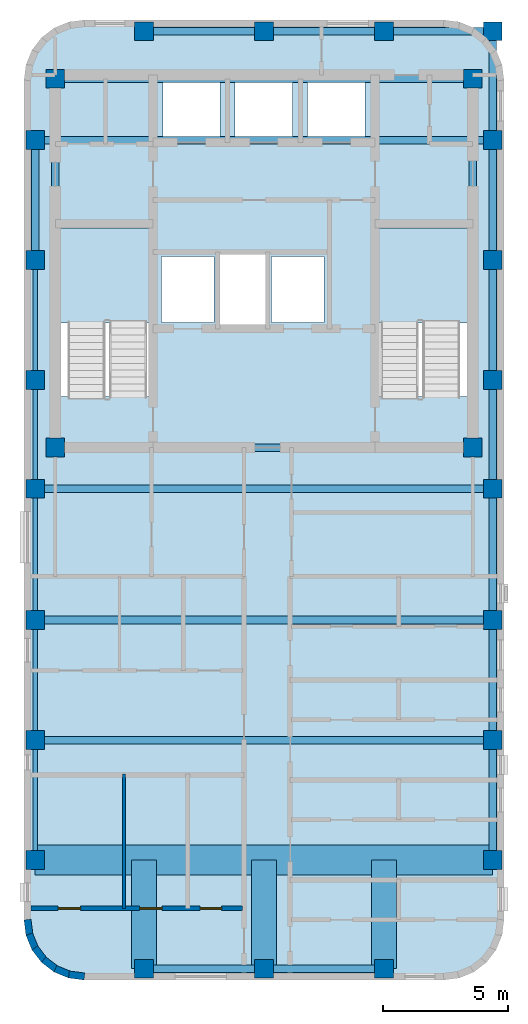
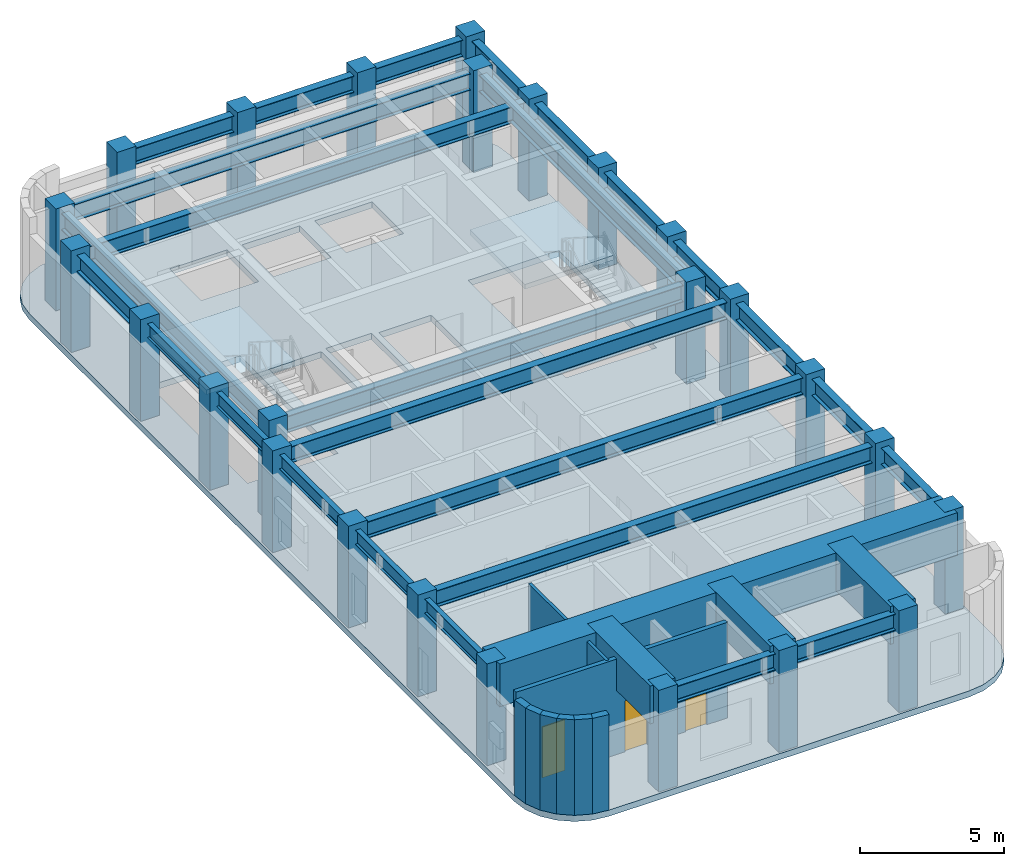
# One storey, part 1 of 6: 30 beams, 25 columns, 8 walls, 3 doors, 3 slabs, 3 openings, 2 elements without a shape of their own.
"""IFC4 building model written with IfcOpenShell, lengths in metres."""

from ifc_helpers import new_model, si_unit, direction, frame, frame_2d, origin, origin_2d, place, context, subcontext, project, spatial, polyline, rectangle, i_section, outline, extrude, material, layer, layer_set, material_profile, profile_set, type_object, element, fill, aggregate, save


model = new_model("IFC4")

# Units and contexts
model_context = context("Model", 3, precision=1e-05, world=origin(), true_north=direction((0.0, 1.0)))
body_context = subcontext(model_context, "Body", "Model", "MODEL_VIEW")
ifc_project = project(units=[si_unit("LENGTHUNIT", "METRE"), si_unit("AREAUNIT", "SQUARE_METRE"), si_unit("VOLUMEUNIT", "CUBIC_METRE"), si_unit("PLANEANGLEUNIT", "RADIAN"), si_unit("MASSUNIT", "GRAM", prefix="KILO")], contexts=[model_context])

# Site, building, storey
site_placement = place(None, origin())
site = spatial("IfcSite", under=ifc_project, at=site_placement, CompositionType="ELEMENT")
building_placement = place(site_placement, origin())
building = spatial("IfcBuilding", under=site, at=building_placement, Name="Orvandelia Arch Residences", CompositionType="ELEMENT")
storey_placement = place(building_placement, frame((0.0, 0.0, 261.300048828125)))
storey = spatial("IfcBuildingStorey", under=building, at=storey_placement, Name="L68", CompositionType="ELEMENT", Elevation=261.300048828125)

# Columns
ifc_material_1 = material(Name="Concrete C50/60", Category="concrete")
ifc_material_profile_1 = material_profile(ifc_material_1, rectangle(XDim=0.75, YDim=0.75, at=origin_2d()), Name="Concrete C50/60", Category="concrete")
ifc_profile_set_1 = profile_set([ifc_material_profile_1], Name="Concrete C50/60")
column_type = type_object("IfcColumnType", Name="COL-TWR-750", PredefinedType="COLUMN", material=ifc_profile_set_1)
for number, where, z_axis, x_axis, name in (
    (1, (5.25, 14.39990234375, 0.0), (0.0, 0.0, 1.0), (1.0, 0.0, 0.0), "Structural Column L68-W-W-144"),
    (2, (5.25, 19.199951171875, 0.0), (0.0, 0.0, 1.0), (1.0, 0.0, 0.0), "Structural Column L68-W-W-192"),
    (3, (5.25, 24.0, 0.0), (0.0, 0.0, 1.0), (1.0, 0.0, 0.0), "Structural Column L68-W-W-240"),
    (4, (5.25, 29.25, 0.0), (0.0, 0.0, 1.0), (1.0, 0.0, 0.0), "Structural Column L68-W-W-292"),
    (5, (5.25, 33.60009765625, 0.0), (0.0, 0.0, 1.0), (1.0, 0.0, 0.0), "Structural Column L68-W-W-336"),
    (6, (5.25, 38.39990234375, 0.0), (0.0, 0.0, 1.0), (1.0, 0.0, 0.0), "Structural Column L68-W-W-384"),
    (7, (5.25, 43.199951171875, 0.0), (0.0, 0.0, 1.0), (1.0, 0.0, 0.0), "Structural Column L68-W-W-432"),
    (8, (6.050048828125, 30.89990234375, 0.0), (0.0, 0.0, 1.0), (1.0, 0.0, 0.0), "Structural Column L68-CR-SW"),
    (9, (6.050048828125, 45.64990234375, 0.0), (0.0, 0.0, 1.0), (1.0, 0.0, 0.0), "Structural Column L68-CR-NW"),
    (10, (9.60009765625, 10.050048828125, 0.0), (0.0, 0.0, 1.0), (1.0, 0.0, 0.0), "Structural Column L68-W-S-96"),
    (11, (9.60009765625, 47.550048828125, 0.0), (0.0, 0.0, 1.0), (1.0, 0.0, 0.0), "Structural Column L68-W-N-96"),
    (12, (14.39990234375, 10.050048828125, 0.0), (0.0, 0.0, 1.0), (1.0, 0.0, 0.0), "Structural Column L68-W-S-144"),
    (13, (14.39990234375, 47.550048828125, 0.0), (0.0, 0.0, 1.0), (1.0, 0.0, 0.0), "Structural Column L68-W-N-144"),
    (14, (19.199951171875, 10.050048828125, 0.0), (0.0, 0.0, 1.0), (1.0, 0.0, 0.0), "Structural Column L68-W-S-192"),
    (15, (19.199951171875, 47.550048828125, 0.0), (0.0, 0.0, 1.0), (1.0, 0.0, 0.0), "Structural Column L68-W-N-192"),
    (16, (22.75, 30.89990234375, 0.0), (0.0, 0.0, 1.0), (1.0, 0.0, 0.0), "Structural Column L68-CR-SE"),
    (17, (22.75, 45.64990234375, 0.0), (0.0, 0.0, 1.0), (1.0, 0.0, 0.0), "Structural Column L68-CR-NE"),
    (18, (23.550048828125, 14.39990234375, 0.0), (0.0, 0.0, 1.0), (1.0, 0.0, 0.0), "Structural Column L68-W-E-144"),
    (19, (23.550048828125, 19.199951171875, 0.0), (0.0, 0.0, 1.0), (1.0, 0.0, 0.0), "Structural Column L68-W-E-192"),
    (20, (23.550048828125, 24.0, 0.0), (0.0, 0.0, 1.0), (1.0, 0.0, 0.0), "Structural Column L68-W-E-240"),
    (21, (23.550048828125, 29.25, 0.0), (0.0, 0.0, 1.0), (1.0, 0.0, 0.0), "Structural Column L68-W-E-292"),
    (22, (23.550048828125, 33.60009765625, 0.0), (0.0, 0.0, 1.0), (1.0, 0.0, 0.0), "Structural Column L68-W-E-336"),
    (23, (23.550048828125, 38.39990234375, 0.0), (0.0, 0.0, 1.0), (1.0, 0.0, 0.0), "Structural Column L68-W-E-384"),
    (24, (23.550048828125, 43.199951171875, 0.0), (0.0, 0.0, 1.0), (1.0, 0.0, 0.0), "Structural Column L68-W-E-432"),
    (25, (23.550048828125, 47.550048828125, 0.0), (0.0, 0.0, 1.0), (1.0, 0.0, 0.0), "Structural Column L68-W-N-235"),
):
    element("IfcColumn", number, at=place(storey_placement, frame(where, z_axis=z_axis, x_axis=x_axis)), inside=storey, type_object=column_type, Name=name, PredefinedType="COLUMN", context=body_context, shape_type="SweptSolid", body=[
        extrude(rectangle(XDim=0.75, YDim=0.75, at=origin_2d()), origin(), (0.0, 0.0, 1.0), 4.300048828125),
    ])

# Beams
ifc_material_2 = material(Name="Structural Steel SM355 (355 MPa)", Category="steel")
ifc_material_profile_2 = material_profile(ifc_material_2, i_section(OverallWidth=0.300048828125, OverallDepth=0.699951171875, WebThickness=0.012939453125, FlangeThickness=0.02392578125, FilletRadius=0.02392578125, at=origin_2d()), Name="Structural Steel SM355 (355 MPa)", Category="steel")
ifc_profile_set_2 = profile_set([ifc_material_profile_2], Name="Structural Steel SM355 (355 MPa)")
beam_type_1 = type_object("IfcBeamType", Name="BM-GRD-H700", PredefinedType="BEAM", material=ifc_profile_set_2)
beam_1_placement = place(storey_placement, frame((5.25, 38.39990234375, 3.68994140625), z_axis=(0.0, 1.0, 0.0), x_axis=(-1.0, 0.0, 0.0)))
element("IfcBeam", 26, at=beam_1_placement, inside=storey, type_object=beam_type_1, Name="Structural Frame Beam L68-NS-006", PredefinedType="BEAM", context=body_context, shape_type="SweptSolid", body=[
    extrude(i_section(OverallWidth=0.300048828125, OverallDepth=0.699951171875, WebThickness=0.012939453125, FlangeThickness=0.02392578125, FilletRadius=0.02392578125, at=origin_2d()), origin(), (0.0, 0.0, 1.0), 4.800048828125),
])
for number, where, z_axis, x_axis, name in (
    (27, (6.050048828125, 30.89990234375, 3.68994140625), (0.0, 1.0, 0.0), (-1.0, 0.0, 0.0), "Structural Frame Beam L68-NS-007"),
    (28, (22.75, 30.89990234375, 3.68994140625), (0.0, 1.0, 0.0), (-1.0, 0.0, 0.0), "Structural Frame Beam L68-NS-008"),
):
    element("IfcBeam", number, at=place(storey_placement, frame(where, z_axis=z_axis, x_axis=x_axis)), inside=storey, type_object=beam_type_1, Name=name, PredefinedType="BEAM", context=body_context, shape_type="SweptSolid", body=[
        extrude(i_section(OverallWidth=0.300048828125, OverallDepth=0.699951171875, WebThickness=0.012939453125, FlangeThickness=0.02392578125, FilletRadius=0.02392578125, at=origin_2d()), origin(), (0.0, 0.0, 1.0), 14.75),
    ])
for number, where, z_axis, x_axis, name in (
    (29, (23.550048828125, 14.39990234375, 3.68994140625), (0.0, 1.0, 0.0), (-1.0, 0.0, 0.0), "Structural Frame Beam L68-NS-009"),
    (30, (23.550048828125, 19.199951171875, 3.68994140625), (0.0, 1.0, 0.0), (-1.0, 0.0, 0.0), "Structural Frame Beam L68-NS-010"),
):
    element("IfcBeam", number, at=place(storey_placement, frame(where, z_axis=z_axis, x_axis=x_axis)), inside=storey, type_object=beam_type_1, Name=name, PredefinedType="BEAM", context=body_context, shape_type="SweptSolid", body=[
        extrude(i_section(OverallWidth=0.300048828125, OverallDepth=0.699951171875, WebThickness=0.012939453125, FlangeThickness=0.02392578125, FilletRadius=0.02392578125, at=origin_2d()), origin(), (0.0, 0.0, 1.0), 4.800048828125),
    ])
beam_2_placement = place(storey_placement, frame((23.550048828125, 24.0, 3.68994140625), z_axis=(0.0, 1.0, 0.0), x_axis=(-1.0, 0.0, 0.0)))
element("IfcBeam", 31, at=beam_2_placement, inside=storey, type_object=beam_type_1, Name="Structural Frame Beam L68-NS-011", PredefinedType="BEAM", context=body_context, shape_type="SweptSolid", body=[
    extrude(i_section(OverallWidth=0.300048828125, OverallDepth=0.699951171875, WebThickness=0.012939453125, FlangeThickness=0.02392578125, FilletRadius=0.02392578125, at=origin_2d()), origin(), (0.0, 0.0, 1.0), 5.25),
])
beam_3_placement = place(storey_placement, frame((23.550048828125, 29.25, 3.68994140625), z_axis=(0.0, 1.0, 0.0), x_axis=(-1.0, 0.0, 0.0)))
element("IfcBeam", 32, at=beam_3_placement, inside=storey, type_object=beam_type_1, Name="Structural Frame Beam L68-NS-012", PredefinedType="BEAM", context=body_context, shape_type="SweptSolid", body=[
    extrude(i_section(OverallWidth=0.300048828125, OverallDepth=0.699951171875, WebThickness=0.012939453125, FlangeThickness=0.02392578125, FilletRadius=0.02392578125, at=origin_2d()), origin(), (0.0, 0.0, 1.0), 4.35009765625),
])
beam_4_placement = place(storey_placement, frame((23.550048828125, 33.60009765625, 3.68994140625), z_axis=(0.0, 1.0, 0.0), x_axis=(-1.0, 0.0, 0.0)))
element("IfcBeam", 33, at=beam_4_placement, inside=storey, type_object=beam_type_1, Name="Structural Frame Beam L68-NS-013", PredefinedType="BEAM", context=body_context, shape_type="SweptSolid", body=[
    extrude(i_section(OverallWidth=0.300048828125, OverallDepth=0.699951171875, WebThickness=0.012939453125, FlangeThickness=0.02392578125, FilletRadius=0.02392578125, at=origin_2d()), origin(), (0.0, 0.0, 1.0), 4.7998046875),
])
beam_5_placement = place(storey_placement, frame((23.550048828125, 38.39990234375, 3.68994140625), z_axis=(0.0, 1.0, 0.0), x_axis=(-1.0, 0.0, 0.0)))
element("IfcBeam", 34, at=beam_5_placement, inside=storey, type_object=beam_type_1, Name="Structural Frame Beam L68-NS-014", PredefinedType="BEAM", context=body_context, shape_type="SweptSolid", body=[
    extrude(i_section(OverallWidth=0.300048828125, OverallDepth=0.699951171875, WebThickness=0.012939453125, FlangeThickness=0.02392578125, FilletRadius=0.02392578125, at=origin_2d()), origin(), (0.0, 0.0, 1.0), 4.800048828125),
])
beam_6_placement = place(storey_placement, frame((23.550048828125, 43.199951171875, 3.68994140625), z_axis=(0.0, 1.0, 0.0), x_axis=(-1.0, 0.0, 0.0)))
element("IfcBeam", 35, at=beam_6_placement, inside=storey, type_object=beam_type_1, Name="Structural Frame Beam L68-NS-015", PredefinedType="BEAM", context=body_context, shape_type="SweptSolid", body=[
    extrude(i_section(OverallWidth=0.300048828125, OverallDepth=0.699951171875, WebThickness=0.012939453125, FlangeThickness=0.02392578125, FilletRadius=0.02392578125, at=origin_2d()), origin(), (0.0, 0.0, 1.0), 4.35009765625),
])
beam_7_placement = place(storey_placement, frame((9.60009765625, 10.050048828125, 3.68994140625), z_axis=(1.0, 0.0, 0.0), x_axis=(0.0, 1.0, 0.0)))
element("IfcBeam", 36, at=beam_7_placement, inside=storey, type_object=beam_type_1, Name="Structural Frame Girder L68-EW-016", PredefinedType="BEAM", context=body_context, shape_type="SweptSolid", body=[
    extrude(i_section(OverallWidth=0.300048828125, OverallDepth=0.699951171875, WebThickness=0.012939453125, FlangeThickness=0.02392578125, FilletRadius=0.02392578125, at=origin_2d()), origin(), (0.0, 0.0, 1.0), 4.7998046875),
])
beam_8_placement = place(storey_placement, frame((14.39990234375, 10.050048828125, 3.68994140625), z_axis=(1.0, 0.0, 0.0), x_axis=(0.0, 1.0, 0.0)))
element("IfcBeam", 37, at=beam_8_placement, inside=storey, type_object=beam_type_1, Name="Structural Frame Girder L68-EW-017", PredefinedType="BEAM", context=body_context, shape_type="SweptSolid", body=[
    extrude(i_section(OverallWidth=0.300048828125, OverallDepth=0.699951171875, WebThickness=0.012939453125, FlangeThickness=0.02392578125, FilletRadius=0.02392578125, at=origin_2d()), origin(), (0.0, 0.0, 1.0), 4.800048828125),
])
for number, where, z_axis, x_axis, name in (
    (38, (5.25, 19.199951171875, 3.68994140625), (1.0, 0.0, 0.0), (0.0, 1.0, 0.0), "Structural Frame Girder L68-EW-019"),
    (39, (5.25, 24.0, 3.68994140625), (1.0, 0.0, 0.0), (0.0, 1.0, 0.0), "Structural Frame Girder L68-EW-020"),
    (40, (5.25, 29.25, 3.68994140625), (1.0, 0.0, 0.0), (0.0, 1.0, 0.0), "Structural Frame Girder L68-EW-021"),
):
    element("IfcBeam", number, at=place(storey_placement, frame(where, z_axis=z_axis, x_axis=x_axis)), inside=storey, type_object=beam_type_1, Name=name, PredefinedType="BEAM", context=body_context, shape_type="SweptSolid", body=[
        extrude(i_section(OverallWidth=0.300048828125, OverallDepth=0.699951171875, WebThickness=0.012939453125, FlangeThickness=0.02392578125, FilletRadius=0.02392578125, at=origin_2d()), origin(), (0.0, 0.0, 1.0), 18.300048828125),
    ])
beam_9_placement = place(storey_placement, frame((6.050048828125, 30.89990234375, 3.68994140625), z_axis=(1.0, 0.0, 0.0), x_axis=(0.0, 1.0, 0.0)))
element("IfcBeam", 41, at=beam_9_placement, inside=storey, type_object=beam_type_1, Name="Structural Frame Girder L68-EW-022", PredefinedType="BEAM", context=body_context, shape_type="SweptSolid", body=[
    extrude(i_section(OverallWidth=0.300048828125, OverallDepth=0.699951171875, WebThickness=0.012939453125, FlangeThickness=0.02392578125, FilletRadius=0.02392578125, at=origin_2d()), origin(), (0.0, 0.0, 1.0), 16.699951171875),
])
beam_10_placement = place(storey_placement, frame((5.25, 43.199951171875, 3.68994140625), z_axis=(1.0, 0.0, 0.0), x_axis=(0.0, 1.0, 0.0)))
element("IfcBeam", 42, at=beam_10_placement, inside=storey, type_object=beam_type_1, Name="Structural Frame Girder L68-EW-025", PredefinedType="BEAM", context=body_context, shape_type="SweptSolid", body=[
    extrude(i_section(OverallWidth=0.300048828125, OverallDepth=0.699951171875, WebThickness=0.012939453125, FlangeThickness=0.02392578125, FilletRadius=0.02392578125, at=origin_2d()), origin(), (0.0, 0.0, 1.0), 18.300048828125),
])
beam_11_placement = place(storey_placement, frame((6.050048828125, 45.64990234375, 3.68994140625), z_axis=(1.0, 0.0, 0.0), x_axis=(0.0, 1.0, 0.0)))
element("IfcBeam", 43, at=beam_11_placement, inside=storey, type_object=beam_type_1, Name="Structural Frame Girder L68-EW-026", PredefinedType="BEAM", context=body_context, shape_type="SweptSolid", body=[
    extrude(i_section(OverallWidth=0.300048828125, OverallDepth=0.699951171875, WebThickness=0.012939453125, FlangeThickness=0.02392578125, FilletRadius=0.02392578125, at=origin_2d()), origin(), (0.0, 0.0, 1.0), 16.699951171875),
])
beam_12_placement = place(storey_placement, frame((9.60009765625, 47.550048828125, 3.68994140625), z_axis=(1.0, 0.0, 0.0), x_axis=(0.0, 1.0, 0.0)))
element("IfcBeam", 44, at=beam_12_placement, inside=storey, type_object=beam_type_1, Name="Structural Frame Girder L68-EW-027", PredefinedType="BEAM", context=body_context, shape_type="SweptSolid", body=[
    extrude(i_section(OverallWidth=0.300048828125, OverallDepth=0.699951171875, WebThickness=0.012939453125, FlangeThickness=0.02392578125, FilletRadius=0.02392578125, at=origin_2d()), origin(), (0.0, 0.0, 1.0), 4.7998046875),
])
beam_13_placement = place(storey_placement, frame((14.39990234375, 47.550048828125, 3.68994140625), z_axis=(1.0, 0.0, 0.0), x_axis=(0.0, 1.0, 0.0)))
element("IfcBeam", 45, at=beam_13_placement, inside=storey, type_object=beam_type_1, Name="Structural Frame Girder L68-EW-028", PredefinedType="BEAM", context=body_context, shape_type="SweptSolid", body=[
    extrude(i_section(OverallWidth=0.300048828125, OverallDepth=0.699951171875, WebThickness=0.012939453125, FlangeThickness=0.02392578125, FilletRadius=0.02392578125, at=origin_2d()), origin(), (0.0, 0.0, 1.0), 4.800048828125),
])
beam_14_placement = place(storey_placement, frame((19.199951171875, 47.550048828125, 3.68994140625), z_axis=(1.0, 0.0, 0.0), x_axis=(0.0, 1.0, 0.0)))
element("IfcBeam", 46, at=beam_14_placement, inside=storey, type_object=beam_type_1, Name="Structural Frame Girder L68-EW-029", PredefinedType="BEAM", context=body_context, shape_type="SweptSolid", body=[
    extrude(i_section(OverallWidth=0.300048828125, OverallDepth=0.699951171875, WebThickness=0.012939453125, FlangeThickness=0.02392578125, FilletRadius=0.02392578125, at=origin_2d()), origin(), (0.0, 0.0, 1.0), 4.35009765625),
])
ifc_material_profile_3 = material_profile(ifc_material_2, i_section(OverallWidth=0.199951171875, OverallDepth=0.60009765625, WebThickness=0.010986328125, FlangeThickness=0.01708984375, FilletRadius=0.02197265625, at=origin_2d()), Name="Structural Steel SM355 (355 MPa)", Category="steel")
ifc_profile_set_3 = profile_set([ifc_material_profile_3], Name="Structural Steel SM355 (355 MPa)")
beam_type_2 = type_object("IfcBeamType", Name="BM-SPN-H600", PredefinedType="SPANDREL", material=ifc_profile_set_3)
for number, where, z_axis, x_axis, name in (
    (47, (5.25, 14.39990234375, 3.739990234375), (0.0, 1.0, 0.0), (-1.0, 0.0, 0.0), "Structural Frame Beam L68-NS-001"),
    (48, (5.25, 19.199951171875, 3.739990234375), (0.0, 1.0, 0.0), (-1.0, 0.0, 0.0), "Structural Frame Beam L68-NS-002"),
):
    element("IfcBeam", number, at=place(storey_placement, frame(where, z_axis=z_axis, x_axis=x_axis)), inside=storey, type_object=beam_type_2, Name=name, PredefinedType="SPANDREL", context=body_context, shape_type="SweptSolid", body=[
        extrude(i_section(OverallWidth=0.199951171875, OverallDepth=0.60009765625, WebThickness=0.010986328125, FlangeThickness=0.01708984375, FilletRadius=0.02197265625, at=origin_2d()), origin(), (0.0, 0.0, 1.0), 4.800048828125),
    ])
beam_15_placement = place(storey_placement, frame((5.25, 24.0, 3.739990234375), z_axis=(0.0, 1.0, 0.0), x_axis=(-1.0, 0.0, 0.0)))
element("IfcBeam", 49, at=beam_15_placement, inside=storey, type_object=beam_type_2, Name="Structural Frame Beam L68-NS-003", PredefinedType="SPANDREL", context=body_context, shape_type="SweptSolid", body=[
    extrude(i_section(OverallWidth=0.199951171875, OverallDepth=0.60009765625, WebThickness=0.010986328125, FlangeThickness=0.01708984375, FilletRadius=0.02197265625, at=origin_2d()), origin(), (0.0, 0.0, 1.0), 5.25),
])
beam_16_placement = place(storey_placement, frame((5.25, 29.25, 3.739990234375), z_axis=(0.0, 1.0, 0.0), x_axis=(-1.0, 0.0, 0.0)))
element("IfcBeam", 50, at=beam_16_placement, inside=storey, type_object=beam_type_2, Name="Structural Frame Beam L68-NS-004", PredefinedType="SPANDREL", context=body_context, shape_type="SweptSolid", body=[
    extrude(i_section(OverallWidth=0.199951171875, OverallDepth=0.60009765625, WebThickness=0.010986328125, FlangeThickness=0.01708984375, FilletRadius=0.02197265625, at=origin_2d()), origin(), (0.0, 0.0, 1.0), 4.35009765625),
])
beam_17_placement = place(storey_placement, frame((5.25, 33.60009765625, 3.739990234375), z_axis=(0.0, 1.0, 0.0), x_axis=(-1.0, 0.0, 0.0)))
element("IfcBeam", 51, at=beam_17_placement, inside=storey, type_object=beam_type_2, Name="Structural Frame Beam L68-NS-005", PredefinedType="SPANDREL", context=body_context, shape_type="SweptSolid", body=[
    extrude(i_section(OverallWidth=0.199951171875, OverallDepth=0.60009765625, WebThickness=0.010986328125, FlangeThickness=0.01708984375, FilletRadius=0.02197265625, at=origin_2d()), origin(), (0.0, 0.0, 1.0), 4.7998046875),
])
ifc_material_3 = material(Name="Concrete C80/95", Category="concrete")
ifc_material_profile_4 = material_profile(ifc_material_3, rectangle(XDim=1.199951171875, YDim=1.800048828125, at=origin_2d()), Name="Concrete C80/95", Category="concrete")
ifc_profile_set_4 = profile_set([ifc_material_profile_4], Name="Concrete C80/95")
beam_type_3 = type_object("IfcBeamType", Name="TG-ARCH-1200x1800", PredefinedType="USERDEFINED", material=ifc_profile_set_4)
beam_18_placement = place(storey_placement, frame((5.25, 14.39990234375, 3.39990234375), z_axis=(1.0, 0.0, 0.0), x_axis=(0.0, 1.0, 0.0)))
element("IfcBeam", 52, at=beam_18_placement, inside=storey, type_object=beam_type_3, Name="Setback Cross Transfer Girder L68", ObjectType="TRANSFER GIRDER", PredefinedType="USERDEFINED", context=body_context, shape_type="SweptSolid", body=[
    extrude(rectangle(XDim=1.199951171875, YDim=1.800048828125, at=origin_2d()), origin(), (0.0, 0.0, 1.0), 18.300048828125),
])
ifc_material_4 = material(Name="Concrete C60/75", Category="concrete")
ifc_material_profile_5 = material_profile(ifc_material_4, rectangle(XDim=1.0, YDim=1.60009765625, at=origin_2d()), Name="Concrete C60/75", Category="concrete")
ifc_profile_set_5 = profile_set([ifc_material_profile_5], Name="Concrete C60/75")
beam_type_4 = type_object("IfcBeamType", Name="TG-PORTAL-1000x1600", PredefinedType="USERDEFINED", material=ifc_profile_set_5)
for number, where, z_axis, x_axis, name in (
    (53, (9.60009765625, 10.050048828125, 3.5), (0.0, 1.0, 0.0), (-1.0, 0.0, 0.0), "Setback Transfer Girder L68"),
    (54, (14.39990234375, 10.050048828125, 3.5), (0.0, 1.0, 0.0), (-1.0, 0.0, 0.0), "Setback Transfer Girder L68"),
    (55, (19.199951171875, 10.050048828125, 3.5), (0.0, 1.0, 0.0), (-1.0, 0.0, 0.0), "Setback Transfer Girder L68"),
):
    element("IfcBeam", number, at=place(storey_placement, frame(where, z_axis=z_axis, x_axis=x_axis)), inside=storey, type_object=beam_type_4, Name=name, ObjectType="TRANSFER GIRDER", PredefinedType="USERDEFINED", context=body_context, shape_type="SweptSolid", body=[
        extrude(rectangle(XDim=1.0, YDim=1.60009765625, at=origin_2d()), origin(), (0.0, 0.0, 1.0), 4.349853515625),
    ])

# Stair, slab
ifc_material_5 = material(Name="Concrete C40/50", Category="concrete")
stair_type = type_object("IfcStairType", Name="STAIR-RC-DOGLEG", PredefinedType="HALF_TURN_STAIR", material=ifc_material_5)
stair_1_placement = place(storey_placement, origin())
stair_1 = element("IfcStair", 56, at=stair_1_placement, inside=storey, type_object=stair_type, Name="L68 Protected Exit Stair ST-1", PredefinedType="HALF_TURN_STAIR")
ifc_layer_1 = layer(ifc_material_5, 0.219970703125, Name="Concrete C40/50", Category="concrete")
ifc_layer_set_1 = layer_set([ifc_layer_1], Name="Concrete C40/50")
slab_type_1 = type_object("IfcSlabType", Name="SLB-LANDING-220", PredefinedType="LANDING", material=ifc_layer_set_1)
slab_1_placement = place(storey_placement, frame((0.0, 0.0, 1.949951171875)))
slab_1 = element("IfcSlab", 57, at=slab_1_placement, type_object=slab_type_1, Name="ST-1 landing 1", PredefinedType="LANDING", context=body_context, shape_type="SweptSolid", body=[
    extrude(outline(polyline([(9.800048828125, 35.8701171875), (9.800048828125, 39.68994140625), (6.260009765625, 39.68994140625), (6.260009765625, 35.8701171875), (9.800048828125, 35.8701171875)])), origin(), (0.0, 0.0, 1.0), 0.199951171875),
])
aggregate(stair_1, [slab_1])

stair_2_placement = place(storey_placement, origin())
stair_2 = element("IfcStair", 58, at=stair_2_placement, inside=storey, type_object=stair_type, Name="L68 Protected Exit Stair ST-2", PredefinedType="HALF_TURN_STAIR")
slab_2_placement = place(storey_placement, frame((0.0, 0.0, 1.949951171875)))
slab_2 = element("IfcSlab", 59, at=slab_2_placement, type_object=slab_type_1, Name="ST-2 landing 1", PredefinedType="LANDING", context=body_context, shape_type="SweptSolid", body=[
    extrude(outline(polyline([(22.5400390625, 35.8701171875), (22.5400390625, 39.68994140625), (19.0, 39.68994140625), (19.0, 35.8701171875), (22.5400390625, 35.8701171875)])), origin(), (0.0, 0.0, 1.0), 0.199951171875),
])
aggregate(stair_2, [slab_2])

# Slab
ifc_layer_2 = layer(ifc_material_5, 0.260009765625, Name="Concrete C40/50", Category="concrete")
ifc_layer_set_2 = layer_set([ifc_layer_2], Name="Concrete C40/50")
slab_type_2 = type_object("IfcSlabType", Name="SLB-TWR-260", PredefinedType="FLOOR", material=ifc_layer_set_2)
slab_3_placement = place(storey_placement, frame((0.0, 0.0, -0.260009765625)))
element("IfcSlab", 60, at=slab_3_placement, inside=storey, type_object=slab_type_2, Name="Structural Floor Slab L68-1", PredefinedType="FLOOR", context=body_context, shape_type="SweptSolid", body=[
    extrude(outline(polyline([(4.800048828125, 12.0), (4.8818359375, 11.37890625), (5.12158203125, 10.800048828125), (5.5029296875, 10.302978515625), (6.0, 9.92138671875), (6.578857421875, 9.681884765625), (7.199951171875, 9.60009765625), (21.60009765625, 9.60009765625), (22.22119140625, 9.681884765625), (22.800048828125, 9.92138671875), (23.297119140625, 10.302978515625), (23.678466796875, 10.800048828125), (23.918212890625, 11.37890625), (24.0, 12.0), (24.0, 45.60009765625), (23.918212890625, 46.22119140625), (23.678466796875, 46.800048828125), (23.297119140625, 47.297119140625), (22.800048828125, 47.678466796875), (22.22119140625, 47.918212890625), (21.60009765625, 48.0), (7.199951171875, 48.0), (6.578857421875, 47.918212890625), (6.0, 47.678466796875), (5.5029296875, 47.297119140625), (5.12158203125, 46.800048828125), (4.8818359375, 46.22119140625), (4.800048828125, 45.60009765625), (4.800048828125, 12.0)]), holes=[polyline([(6.219970703125, 32.949951171875), (9.840087890625, 32.949951171875), (9.840087890625, 39.72998046875), (6.219970703125, 39.72998046875), (6.219970703125, 32.949951171875)]), polyline([(18.9599609375, 32.949951171875), (22.580078125, 32.949951171875), (22.580078125, 39.72998046875), (18.9599609375, 39.72998046875), (18.9599609375, 32.949951171875)]), polyline([(12.639892578125, 35.81005859375), (14.4599609375, 35.81005859375), (14.4599609375, 38.639892578125), (12.639892578125, 38.639892578125), (12.639892578125, 35.81005859375)]), polyline([(10.300048828125, 35.89990234375), (12.39990234375, 35.89990234375), (12.39990234375, 38.550048828125), (10.300048828125, 38.550048828125), (10.300048828125, 35.89990234375)]), polyline([(14.699951171875, 35.89990234375), (16.800048828125, 35.89990234375), (16.800048828125, 38.550048828125), (14.699951171875, 38.550048828125), (14.699951171875, 35.89990234375)]), polyline([(10.35009765625, 43.300048828125), (12.64990234375, 43.300048828125), (12.64990234375, 45.5), (10.35009765625, 45.5), (10.35009765625, 43.300048828125)]), polyline([(13.25, 43.300048828125), (15.550048828125, 43.300048828125), (15.550048828125, 45.5), (13.25, 45.5), (13.25, 43.300048828125)]), polyline([(16.14990234375, 43.300048828125), (18.449951171875, 43.300048828125), (18.449951171875, 45.5), (16.14990234375, 45.5), (16.14990234375, 43.300048828125)])]), origin(), (0.0, 0.0, 1.0), 0.260009765625),
])

# Walls
ifc_material_6 = material(Name="Precast concrete C40/50", Category="concrete")
ifc_layer_3 = layer(ifc_material_6, 0.280029296875, Name="Precast concrete C40/50", Category="concrete")
ifc_layer_set_3 = layer_set([ifc_layer_3], Name="Precast concrete C40/50")
wall_type_1 = type_object("IfcWallType", Name="WL-EXT-STONE-280", PredefinedType="STANDARD", material=ifc_layer_set_3)
wall_1_placement = place(storey_placement, frame((7.21826171875, 9.73876953125, 0.0), z_axis=(0.0, 0.0, 1.0), x_axis=(-0.9914410257, 0.130555323746, 0.0)))
element("IfcWall", 61, at=wall_1_placement, inside=storey, type_object=wall_type_1, Name="Coral-Limestone Precast Facade Wall L68-022", PredefinedType="STANDARD", context=body_context, shape_type="SweptSolid", body=[
    extrude(rectangle(XDim=0.62646484375, YDim=0.280029296875, at=frame_2d((0.313232421875, 0.0))), origin(), (0.0, 0.0, 1.0), 4.0400390625),
])
wall_2_placement = place(storey_placement, frame((6.63232421875, 9.81103515625, 0.0), z_axis=(0.0, 0.0, 1.0), x_axis=(-0.923836271867, 0.382787856107, 0.0)))
element("IfcWall", 62, at=wall_2_placement, inside=storey, type_object=wall_type_1, Name="Coral-Limestone Precast Facade Wall L68-023", PredefinedType="STANDARD", context=body_context, shape_type="SweptSolid", body=[
    extrude(rectangle(XDim=0.626220703125, YDim=0.280029296875, at=frame_2d((0.31298828125, 0.0))), origin(), (0.0, 0.0, 1.0), 4.0400390625),
])
for number, where, z_axis, x_axis, name in (
    (63, (6.085205078125, 10.03271484375, 0.0), (0.0, 0.0, 1.0), (-0.793405610854, 0.608693302629, 0.0), "Coral-Limestone Precast Facade Wall L68-024"),
    (64, (5.614013671875, 10.38818359375, 0.0), (0.0, 0.0, 1.0), (-0.608693302629, 0.793405610854, 0.0), "Coral-Limestone Precast Facade Wall L68-025"),
    (65, (5.250732421875, 10.853515625, 0.0), (0.0, 0.0, 1.0), (-0.382650053678, 0.92389335771, 0.0), "Coral-Limestone Precast Facade Wall L68-026"),
    (66, (5.0205078125, 11.397216796875, 0.0), (0.0, 0.0, 1.0), (-0.130555323746, 0.9914410257, 0.0), "Coral-Limestone Precast Facade Wall L68-027"),
):
    element("IfcWall", number, at=place(storey_placement, frame(where, z_axis=z_axis, x_axis=x_axis)), inside=storey, type_object=wall_type_1, Name=name, PredefinedType="STANDARD", context=body_context, shape_type="SweptSolid", body=[
        extrude(rectangle(XDim=0.62646484375, YDim=0.280029296875, at=frame_2d((0.313232421875, 0.0))), origin(), (0.0, 0.0, 1.0), 4.0400390625),
    ])
ifc_material_7 = material(Name="Lightweight Gypsum Stud Partition")
ifc_layer_4 = layer(ifc_material_7, 0.1201171875, Name="Lightweight Gypsum Stud Partition")
ifc_layer_set_4 = layer_set([ifc_layer_4], Name="Lightweight Gypsum Stud Partition")
wall_type_2 = type_object("IfcWallType", Name="WL-PART-120", PredefinedType="PARTITIONING", material=ifc_layer_set_4)
wall_3_placement = place(storey_placement, frame((8.791015625, 12.4619140625, 0.0), z_axis=(0.0, 0.0, 1.0), x_axis=(0.0, 1.0, 0.0)))
element("IfcWall", 67, at=wall_3_placement, inside=storey, type_object=wall_type_2, Name="Interior Partition Wall WL-L68-U01-V1", PredefinedType="PARTITIONING", context=body_context, shape_type="SweptSolid", body=[
    extrude(rectangle(XDim=5.378173828125, YDim=0.1201171875, at=frame_2d((2.68896484375, 0.0))), origin(), (0.0, 0.0, 1.0), 4.0400390625),
])

# Wall, openings, doors
ifc_material_8 = material(Name="Moisture-Resistant Plumbing Wall")
ifc_layer_5 = layer(ifc_material_8, 0.179931640625, Name="Moisture-Resistant Plumbing Wall")
ifc_layer_set_5 = layer_set([ifc_layer_5], Name="Moisture-Resistant Plumbing Wall")
wall_type_3 = type_object("IfcWallType", Name="WL-WET-180", PredefinedType="PLUMBINGWALL", material=ifc_layer_set_5)
wall_4_placement = place(storey_placement, frame((5.080078125, 12.4619140625, 0.0), z_axis=(0.0, 0.0, 1.0), x_axis=(1.0, 0.0, 0.0)))
wall_4 = element("IfcWall", 68, at=wall_4_placement, inside=storey, type_object=wall_type_3, Name="Interior Partition Wall WL-L68-U01-HZ", PredefinedType="PLUMBINGWALL", context=body_context, shape_type="SweptSolid", body=[
    extrude(rectangle(XDim=8.4599609375, YDim=0.179931640625, at=frame_2d((4.22998046875, 0.0))), origin(), (0.0, 0.0, 1.0), 4.0400390625),
])
opening_1_placement = place(wall_4_placement, frame((1.08642578125, 0.0, 0.0)))
opening_1 = element("IfcOpeningElement", 69, at=opening_1_placement, cuts=wall_4, Name="Opening D3", PredefinedType="OPENING", context=body_context, shape_type="SweptSolid", body=[
    extrude(rectangle(XDim=0.89990234375, YDim=2.14990234375, at=frame_2d((0.449951171875, 1.074951171875))), frame((0.0, 0.10009765625, 0.0), z_axis=(0.0, -1.0, 0.0), x_axis=(1.0, 0.0, 0.0)), (0.0, 0.0, 1.0), 0.199951171875),
])
opening_2_placement = place(wall_4_placement, frame((4.347412109375, 0.0, 0.0)))
opening_2 = element("IfcOpeningElement", 70, at=opening_2_placement, cuts=wall_4, Name="Opening D3", PredefinedType="OPENING", context=body_context, shape_type="SweptSolid", body=[
    extrude(rectangle(XDim=0.89990234375, YDim=2.14990234375, at=frame_2d((0.449951171875, 1.074951171875))), frame((0.0, 0.10009765625, 0.0), z_axis=(0.0, -1.0, 0.0), x_axis=(1.0, 0.0, 0.0)), (0.0, 0.0, 1.0), 0.199951171875),
])
opening_3_placement = place(wall_4_placement, frame((6.76318359375, 0.0, 0.0)))
opening_3 = element("IfcOpeningElement", 71, at=opening_3_placement, cuts=wall_4, Name="Opening D4", PredefinedType="OPENING", context=body_context, shape_type="SweptSolid", body=[
    extrude(rectangle(XDim=0.860107421875, YDim=2.10009765625, at=frame_2d((0.43017578125, 1.050048828125))), frame((0.0, 0.10009765625, 0.0), z_axis=(0.0, -1.0, 0.0), x_axis=(1.0, 0.0, 0.0)), (0.0, 0.0, 1.0), 0.199951171875),
])
ifc_material_9 = material(Name="Engineered Timber Flush Door", Category="wood")
door_type_1 = type_object("IfcDoorType", Name="DR-INT-900", OperationType="NOTDEFINED", PredefinedType="DOOR", material=ifc_material_9)
door_1_placement = place(opening_1_placement, origin())
door_1 = element("IfcDoor", 72, at=door_1_placement, inside=storey, type_object=door_type_1, Name="DR-L68-U01-BD1", OperationType="SINGLE_SWING_LEFT", OverallHeight=2.14990234375, OverallWidth=0.89990234375, PredefinedType="DOOR", context=body_context, shape_type="SweptSolid", body=[
    extrude(rectangle(XDim=0.89990234375, YDim=2.14990234375, at=frame_2d((0.449951171875, 1.074951171875))), frame((0.0, 0.02490234375, 0.0), z_axis=(0.0, -1.0, 0.0), x_axis=(1.0, 0.0, 0.0)), (0.0, 0.0, 1.0), 0.050048828125),
])
fill(opening_1, door_1)
door_2_placement = place(opening_2_placement, origin())
door_2 = element("IfcDoor", 73, at=door_2_placement, inside=storey, type_object=door_type_1, Name="DR-L68-U01-KIT", OperationType="SINGLE_SWING_RIGHT", OverallHeight=2.14990234375, OverallWidth=0.89990234375, PredefinedType="DOOR", context=body_context, shape_type="SweptSolid", body=[
    extrude(rectangle(XDim=0.89990234375, YDim=2.14990234375, at=frame_2d((0.449951171875, 1.074951171875))), frame((0.0, 0.02490234375, 0.0), z_axis=(0.0, -1.0, 0.0), x_axis=(1.0, 0.0, 0.0)), (0.0, 0.0, 1.0), 0.050048828125),
])
fill(opening_2, door_2)
ifc_material_10 = material(Name="Moisture-Sealed Timber Bathroom Door", Category="wood")
door_type_2 = type_object("IfcDoorType", Name="DR-WET-900", OperationType="NOTDEFINED", PredefinedType="DOOR", material=ifc_material_10)
door_3_placement = place(opening_3_placement, origin())
door_3 = element("IfcDoor", 74, at=door_3_placement, inside=storey, type_object=door_type_2, Name="DR-L68-U01-BTH", OperationType="SINGLE_SWING_LEFT", OverallHeight=2.10009765625, OverallWidth=0.860107421875, PredefinedType="DOOR", context=body_context, shape_type="SweptSolid", body=[
    extrude(rectangle(XDim=0.860107421875, YDim=2.10009765625, at=frame_2d((0.43017578125, 1.050048828125))), frame((0.0, 0.02490234375, 0.0), z_axis=(0.0, -1.0, 0.0), x_axis=(1.0, 0.0, 0.0)), (0.0, 0.0, 1.0), 0.050048828125),
])
fill(opening_3, door_3)

save(model, "model.ifc")
